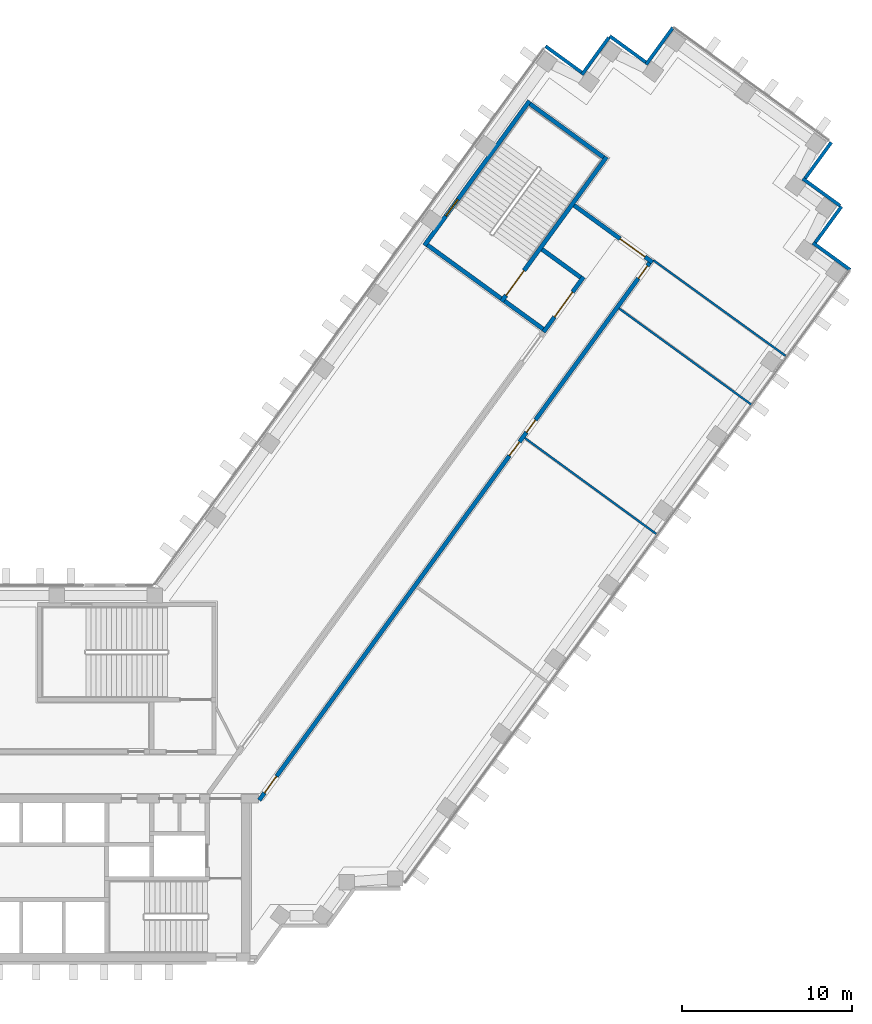
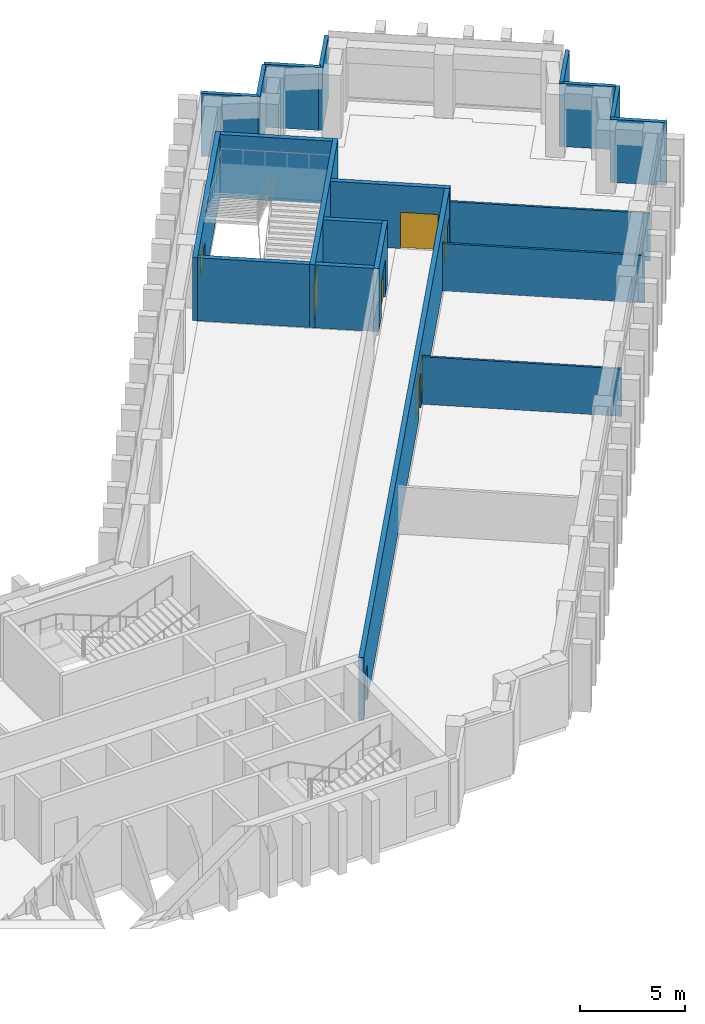
# One storey, part 12 of 16: 20 walls, 7 doors, 1 window, 8 openings.
"""IFC4 building model written with IfcOpenShell, lengths in metres."""

from ifc_helpers import new_model, si_unit, direction, frame, frame_2d, origin, place, context, subcontext, project, spatial, rectangle, extrude, material, layer, layer_set, type_object, element, fill, save


model = new_model("IFC4")

# Units and contexts
model_context = context("Model", 3, precision=1e-05, world=origin(), true_north=direction((0.0, 1.0)))
body_context = subcontext(model_context, "Body", "Model", "MODEL_VIEW")
ifc_project = project(units=[si_unit("LENGTHUNIT", "METRE"), si_unit("AREAUNIT", "SQUARE_METRE"), si_unit("VOLUMEUNIT", "CUBIC_METRE"), si_unit("PLANEANGLEUNIT", "RADIAN"), si_unit("MASSUNIT", "GRAM", prefix="KILO")], contexts=[model_context])

# Site, building, storey
site_placement = place(None, origin())
site = spatial("IfcSite", under=ifc_project, at=site_placement, CompositionType="ELEMENT")
building_placement = place(site_placement, origin())
building = spatial("IfcBuilding", under=site, at=building_placement, Name="Quipu Civic Tower", CompositionType="ELEMENT")
storey_placement = place(building_placement, frame((0.0, 0.0, 63.0)))
storey = spatial("IfcBuildingStorey", under=building, at=storey_placement, Name="L14", CompositionType="ELEMENT", Elevation=63.0)

# Wall, opening, door
ifc_material_1 = material(Name="Concrete C70/85", Category="concrete")
ifc_layer_1 = layer(ifc_material_1, 0.25)
ifc_layer_set_1 = layer_set([ifc_layer_1], Name="Concrete C70/85")
wall_type_1 = type_object("IfcWallType", Name="Core wall 250", PredefinedType="SHEAR", material=ifc_layer_set_1)
wall_1_placement = place(storey_placement, frame((37.237548828125, 25.979736328125, 0.0), z_axis=(0.0, 0.0, 1.0), x_axis=(0.587772420479, 0.809026317077, 0.0)))
wall_1 = element("IfcWall", 1, at=wall_1_placement, inside=storey, type_object=wall_type_1, Name="Core wall", PredefinedType="SHEAR", context=body_context, shape_type="SweptSolid", body=[
    extrude(rectangle(XDim=4.0, YDim=0.25, at=frame_2d((2.0, 0.0))), origin(), (0.0, 0.0, 1.0), 3.64990234375),
])
opening_1_placement = place(wall_1_placement, frame((1.10009765625, 0.0, 0.0)))
opening_1 = element("IfcOpeningElement", 2, at=opening_1_placement, cuts=wall_1, Name="Opening CD-22", PredefinedType="OPENING", context=body_context, shape_type="SweptSolid", body=[
    extrude(rectangle(XDim=1.800048828125, YDim=2.10009765625, at=frame_2d((0.89990234375, 1.050048828125))), frame((0.0, 0.135009765625, 0.0), z_axis=(0.0, -1.0, 0.0), x_axis=(1.0, 0.0, 0.0)), (0.0, 0.0, 1.0), 0.27001953125),
])
ifc_material_2 = material(Name="Fire rated steel door", Category="steel")
door_type_1 = type_object("IfcDoorType", Name="Fire door FD90 double 1800 x 2100", OperationType="NOTDEFINED", PredefinedType="DOOR", material=ifc_material_2)
door_1_placement = place(opening_1_placement, origin())
door_1 = element("IfcDoor", 3, at=door_1_placement, inside=storey, type_object=door_type_1, Name="Lobby door", OperationType="DOUBLE_DOOR_SINGLE_SWING", OverallHeight=2.10009765625, OverallWidth=1.800048828125, PredefinedType="DOOR", context=body_context, shape_type="SweptSolid", body=[
    extrude(rectangle(XDim=1.800048828125, YDim=2.10009765625, at=frame_2d((0.89990234375, 1.050048828125))), frame((0.0, 0.02490234375, 0.0), z_axis=(0.0, -1.0, 0.0), x_axis=(1.0, 0.0, 0.0)), (0.0, 0.0, 1.0), 0.050048828125),
])
fill(opening_1, door_1)

# Walls
for number, where, z_axis, x_axis, name in (
    (4, (37.2099609375, 26.154296875, 0.0), (0.0, 0.0, 1.0), (-0.809041377956, 0.587751689708, 0.0), "Core wall"),
    (5, (39.4140625, 29.18798828125, 0.0), (0.0, 0.0, 1.0), (-0.808969789945, 0.58785021813, 0.0), "Core wall"),
):
    element("IfcWall", number, at=place(storey_placement, frame(where, z_axis=z_axis, x_axis=x_axis)), inside=storey, type_object=wall_type_1, Name=name, PredefinedType="SHEAR", context=body_context, shape_type="SweptSolid", body=[
        extrude(rectangle(XDim=2.800048828125, YDim=0.25, at=frame_2d((1.39990234375, 0.0))), origin(), (0.0, 0.0, 1.0), 3.64990234375),
    ])

# Wall, opening, door
wall_2_placement = place(storey_placement, frame((34.77001953125, 27.7724609375, 0.0), z_axis=(0.0, 0.0, 1.0), x_axis=(0.587795589702, 0.809009483706, 0.0)))
wall_2 = element("IfcWall", 6, at=wall_2_placement, inside=storey, type_object=wall_type_1, Name="Core wall", PredefinedType="SHEAR", context=body_context, shape_type="SweptSolid", body=[
    extrude(rectangle(XDim=10.5, YDim=0.25, at=frame_2d((5.25, 0.0))), origin(), (0.0, 0.0, 1.0), 3.64990234375),
])
opening_2_placement = place(wall_2_placement, frame((0.449951171875, 0.0, 0.0)))
opening_2 = element("IfcOpeningElement", 7, at=opening_2_placement, cuts=wall_2, Name="Opening CD-23", PredefinedType="OPENING", context=body_context, shape_type="SweptSolid", body=[
    extrude(rectangle(XDim=1.800048828125, YDim=2.10009765625, at=frame_2d((0.89990234375, 1.050048828125))), frame((0.0, 0.135009765625, 0.0), z_axis=(0.0, -1.0, 0.0), x_axis=(1.0, 0.0, 0.0)), (0.0, 0.0, 1.0), 0.27001953125),
])
door_2_placement = place(opening_2_placement, origin())
door_2 = element("IfcDoor", 8, at=door_2_placement, inside=storey, type_object=door_type_1, Name="Door", OperationType="DOUBLE_DOOR_SINGLE_SWING", OverallHeight=2.10009765625, OverallWidth=1.800048828125, PredefinedType="DOOR", context=body_context, shape_type="SweptSolid", body=[
    extrude(rectangle(XDim=1.800048828125, YDim=2.10009765625, at=frame_2d((0.89990234375, 1.050048828125))), frame((0.0, 0.02490234375, 0.0), z_axis=(0.0, -1.0, 0.0), x_axis=(1.0, 0.0, 0.0)), (0.0, 0.0, 1.0), 0.050048828125),
])
fill(opening_2, door_2)

# Walls
wall_3_placement = place(storey_placement, frame((34.742431640625, 27.947021484375, 0.0), z_axis=(0.0, 0.0, 1.0), x_axis=(-0.8089984606, 0.587810760999, 0.0)))
element("IfcWall", 9, at=wall_3_placement, inside=storey, type_object=wall_type_1, Name="Core wall", PredefinedType="SHEAR", context=body_context, shape_type="SweptSolid", body=[
    extrude(rectangle(XDim=5.35009765625, YDim=0.25, at=frame_2d((2.675048828125, 0.0))), origin(), (0.0, 0.0, 1.0), 3.64990234375),
])
wall_4_placement = place(storey_placement, frame((40.76708984375, 36.239501953125, 0.0), z_axis=(0.0, 0.0, 1.0), x_axis=(-0.809020161303, 0.587780893365, 0.0)))
element("IfcWall", 10, at=wall_4_placement, inside=storey, type_object=wall_type_1, Name="Core wall", PredefinedType="SHEAR", context=body_context, shape_type="SweptSolid", body=[
    extrude(rectangle(XDim=5.349853515625, YDim=0.25, at=frame_2d((2.6748046875, 0.0))), origin(), (0.0, 0.0, 1.0), 3.64990234375),
])

# Wall, opening, window
wall_5_placement = place(storey_placement, frame((30.239501953125, 31.06396484375, 0.0), z_axis=(0.0, 0.0, 1.0), x_axis=(0.587795589702, 0.809009483706, 0.0)))
wall_5 = element("IfcWall", 11, at=wall_5_placement, inside=storey, type_object=wall_type_1, Name="Core wall", PredefinedType="SHEAR", context=body_context, shape_type="SweptSolid", body=[
    extrude(rectangle(XDim=10.5, YDim=0.25, at=frame_2d((5.25, 0.0))), origin(), (0.0, 0.0, 1.0), 3.64990234375),
])
opening_3_placement = place(wall_5_placement, frame((2.14990234375, 0.0, 1.0)))
opening_3 = element("IfcOpeningElement", 12, at=opening_3_placement, cuts=wall_5, Name="Opening SV-7", PredefinedType="OPENING", context=body_context, shape_type="SweptSolid", body=[
    extrude(rectangle(XDim=1.199951171875, YDim=1.199951171875, at=frame_2d((0.60009765625, 0.60009765625))), frame((0.0, 0.135009765625, 0.0), z_axis=(0.0, -1.0, 0.0), x_axis=(1.0, 0.0, 0.0)), (0.0, 0.0, 1.0), 0.27001953125),
])
ifc_material_3 = material(Name="Aluminium louvre", Category="aluminium")
window_type = type_object("IfcWindowType", Name="Stair ventilation louvre 1200 x 1200", PartitioningType="SINGLE_PANEL", PredefinedType="WINDOW", material=ifc_material_3)
window_placement = place(opening_3_placement, origin())
window = element("IfcWindow", 13, at=window_placement, inside=storey, type_object=window_type, Name="Stair ventilation opening", OverallHeight=1.199951171875, OverallWidth=1.199951171875, PartitioningType="SINGLE_PANEL", PredefinedType="WINDOW", context=body_context, shape_type="SweptSolid", body=[
    extrude(rectangle(XDim=1.199951171875, YDim=1.199951171875, at=frame_2d((0.60009765625, 0.60009765625))), frame((0.0, 0.030029296875, 0.0), z_axis=(0.0, -1.0, 0.0), x_axis=(1.0, 0.0, 0.0)), (0.0, 0.0, 1.0), 0.06005859375),
])
fill(opening_3, window)

# Wall, opening, door
ifc_material_4 = material(Name="Concrete C50/60", Category="concrete")
ifc_layer_2 = layer(ifc_material_4, 0.25)
ifc_layer_set_2 = layer_set([ifc_layer_2], Name="Concrete C50/60")
wall_type_2 = type_object("IfcWallType", Name="Corridor wall 250 concrete", PredefinedType="SOLIDWALL", material=ifc_layer_set_2)
wall_6_placement = place(storey_placement, frame((39.03369140625, 33.419921875, 0.0), z_axis=(0.0, 0.0, 1.0), x_axis=(0.809023325802, -0.587776537732, 0.0)))
wall_6 = element("IfcWall", 14, at=wall_6_placement, inside=storey, type_object=wall_type_2, Name="Corridor wall C07", PredefinedType="SOLIDWALL", context=body_context, shape_type="SweptSolid", body=[
    extrude(rectangle(XDim=5.695068359375, YDim=0.25, at=frame_2d((2.84765625, 0.0))), origin(), (0.0, 0.0, 1.0), 3.64990234375),
])
opening_4_placement = place(wall_6_placement, frame((3.34521484375, 0.0, 0.0)))
opening_4 = element("IfcOpeningElement", 15, at=opening_4_placement, cuts=wall_6, Name="Opening D007", PredefinedType="OPENING", context=body_context, shape_type="SweptSolid", body=[
    extrude(rectangle(XDim=1.800048828125, YDim=2.10009765625, at=frame_2d((0.89990234375, 1.050048828125))), frame((0.0, 0.135009765625, 0.0), z_axis=(0.0, -1.0, 0.0), x_axis=(1.0, 0.0, 0.0)), (0.0, 0.0, 1.0), 0.27001953125),
])
ifc_material_5 = material(Name="Fire rated timber door set with metal frame", Category="wood")
door_type_2 = type_object("IfcDoorType", Name="Double door 1800 x 2100 FD60", OperationType="DOUBLE_DOOR_SINGLE_SWING", PredefinedType="DOOR", material=ifc_material_5)
door_3_placement = place(opening_4_placement, origin())
door_3 = element("IfcDoor", 16, at=door_3_placement, inside=storey, type_object=door_type_2, Name="Door D007", OperationType="DOUBLE_DOOR_SINGLE_SWING", OverallHeight=2.10009765625, OverallWidth=1.800048828125, PredefinedType="DOOR", context=body_context, shape_type="SweptSolid", body=[
    extrude(rectangle(XDim=1.800048828125, YDim=2.10009765625, at=frame_2d((0.89990234375, 1.050048828125))), frame((0.0, 0.02490234375, 0.0), z_axis=(0.0, -1.0, 0.0), x_axis=(1.0, 0.0, 0.0)), (0.0, 0.0, 1.0), 0.050048828125),
])
fill(opening_4, door_3)

# Wall, openings, doors
wall_7_placement = place(storey_placement, frame((43.466552734375, 30.044677734375, 0.0), z_axis=(0.0, 0.0, 1.0), x_axis=(-0.587784726077, -0.809017376692, 0.0)))
wall_7 = element("IfcWall", 17, at=wall_7_placement, inside=storey, type_object=wall_type_2, Name="Corridor wall C08", PredefinedType="SOLIDWALL", context=body_context, shape_type="SweptSolid", body=[
    extrude(rectangle(XDim=39.020263671875, YDim=0.25, at=frame_2d((19.51025390625, 0.0))), origin(), (0.0, 0.0, 1.0), 3.64990234375),
])
opening_5_placement = place(wall_7_placement, frame((11.404296875, 0.0, 0.0)))
opening_5 = element("IfcOpeningElement", 18, at=opening_5_placement, cuts=wall_7, Name="Opening D005", PredefinedType="OPENING", context=body_context, shape_type="SweptSolid", body=[
    extrude(rectangle(XDim=0.89990234375, YDim=2.10009765625, at=frame_2d((0.449951171875, 1.050048828125))), frame((0.0, 0.135009765625, 0.0), z_axis=(0.0, -1.0, 0.0), x_axis=(1.0, 0.0, 0.0)), (0.0, 0.0, 1.0), 0.27001953125),
])
opening_6_placement = place(wall_7_placement, frame((13.00439453125, 0.0, 0.0)))
opening_6 = element("IfcOpeningElement", 19, at=opening_6_placement, cuts=wall_7, Name="Opening D004", PredefinedType="OPENING", context=body_context, shape_type="SweptSolid", body=[
    extrude(rectangle(XDim=1.0, YDim=2.10009765625, at=frame_2d((0.5, 1.050048828125))), frame((0.0, 0.135009765625, 0.0), z_axis=(0.0, -1.0, 0.0), x_axis=(1.0, 0.0, 0.0)), (0.0, 0.0, 1.0), 0.27001953125),
])
opening_7_placement = place(wall_7_placement, frame((37.287109375, 0.0, 0.0)))
opening_7 = element("IfcOpeningElement", 20, at=opening_7_placement, cuts=wall_7, Name="Opening D003", PredefinedType="OPENING", context=body_context, shape_type="SweptSolid", body=[
    extrude(rectangle(XDim=1.199951171875, YDim=2.10009765625, at=frame_2d((0.60009765625, 1.050048828125))), frame((0.0, 0.135009765625, 0.0), z_axis=(0.0, -1.0, 0.0), x_axis=(1.0, 0.0, 0.0)), (0.0, 0.0, 1.0), 0.27001953125),
])
opening_8_placement = place(wall_7_placement, frame((0.224365234375, 0.0, 0.0)))
opening_8 = element("IfcOpeningElement", 21, at=opening_8_placement, cuts=wall_7, Name="Opening D006", PredefinedType="OPENING", context=body_context, shape_type="SweptSolid", body=[
    extrude(rectangle(XDim=0.89990234375, YDim=2.10009765625, at=frame_2d((0.449951171875, 1.050048828125))), frame((0.0, 0.135009765625, 0.0), z_axis=(0.0, -1.0, 0.0), x_axis=(1.0, 0.0, 0.0)), (0.0, 0.0, 1.0), 0.27001953125),
])
ifc_material_6 = material(Name="Fire rated timber door set with metal frame", Category="wood")
door_type_3 = type_object("IfcDoorType", Name="Single door 1000 x 2100 FD60", OperationType="NOTDEFINED", PredefinedType="DOOR", material=ifc_material_6)
door_4_placement = place(opening_6_placement, origin())
door_4 = element("IfcDoor", 22, at=door_4_placement, inside=storey, type_object=door_type_3, Name="Door D004", OperationType="SINGLE_SWING_LEFT", OverallHeight=2.10009765625, OverallWidth=1.0, PredefinedType="DOOR", context=body_context, shape_type="SweptSolid", body=[
    extrude(rectangle(XDim=1.0, YDim=2.10009765625, at=frame_2d((0.5, 1.050048828125))), frame((0.0, 0.02490234375, 0.0), z_axis=(0.0, -1.0, 0.0), x_axis=(1.0, 0.0, 0.0)), (0.0, 0.0, 1.0), 0.050048828125),
])
fill(opening_6, door_4)
ifc_material_7 = material(Name="Fire rated timber door set with metal frame", Category="wood")
door_type_4 = type_object("IfcDoorType", Name="Single door 1200 x 2100 FD60", OperationType="NOTDEFINED", PredefinedType="DOOR", material=ifc_material_7)
door_5_placement = place(opening_7_placement, origin())
door_5 = element("IfcDoor", 23, at=door_5_placement, inside=storey, type_object=door_type_4, Name="Door D003", OperationType="SINGLE_SWING_RIGHT", OverallHeight=2.10009765625, OverallWidth=1.199951171875, PredefinedType="DOOR", context=body_context, shape_type="SweptSolid", body=[
    extrude(rectangle(XDim=1.199951171875, YDim=2.10009765625, at=frame_2d((0.60009765625, 1.050048828125))), frame((0.0, 0.02490234375, 0.0), z_axis=(0.0, -1.0, 0.0), x_axis=(1.0, 0.0, 0.0)), (0.0, 0.0, 1.0), 0.050048828125),
])
fill(opening_7, door_5)
ifc_material_8 = material(Name="Fire rated timber door set with metal frame", Category="wood")
door_type_5 = type_object("IfcDoorType", Name="Single door 900 x 2100 FD60", OperationType="NOTDEFINED", PredefinedType="DOOR", material=ifc_material_8)
door_6_placement = place(opening_5_placement, origin())
door_6 = element("IfcDoor", 24, at=door_6_placement, inside=storey, type_object=door_type_5, Name="Door D005", OperationType="SINGLE_SWING_RIGHT", OverallHeight=2.10009765625, OverallWidth=0.89990234375, PredefinedType="DOOR", context=body_context, shape_type="SweptSolid", body=[
    extrude(rectangle(XDim=0.89990234375, YDim=2.10009765625, at=frame_2d((0.449951171875, 1.050048828125))), frame((0.0, 0.02490234375, 0.0), z_axis=(0.0, -1.0, 0.0), x_axis=(1.0, 0.0, 0.0)), (0.0, 0.0, 1.0), 0.050048828125),
])
fill(opening_5, door_6)
door_7_placement = place(opening_8_placement, origin())
door_7 = element("IfcDoor", 25, at=door_7_placement, inside=storey, type_object=door_type_5, Name="Door D006", OperationType="SINGLE_SWING_LEFT", OverallHeight=2.10009765625, OverallWidth=0.89990234375, PredefinedType="DOOR", context=body_context, shape_type="SweptSolid", body=[
    extrude(rectangle(XDim=0.89990234375, YDim=2.10009765625, at=frame_2d((0.449951171875, 1.050048828125))), frame((0.0, 0.02490234375, 0.0), z_axis=(0.0, -1.0, 0.0), x_axis=(1.0, 0.0, 0.0)), (0.0, 0.0, 1.0), 0.050048828125),
])
fill(opening_8, door_7)

# Walls
ifc_material_9 = material(Name="Gypsum plasterboard on light gauge framing")
ifc_layer_3 = layer(ifc_material_9, 0.1201171875)
ifc_layer_set_3 = layer_set([ifc_layer_3], Name="Gypsum plasterboard on light gauge framing")
wall_type_3 = type_object("IfcWallType", Name="Partition 120 plasterboard", PredefinedType="PARTITIONING", material=ifc_layer_set_3)
wall_8_placement = place(storey_placement, frame((43.698486328125, 30.185302734375, 0.0), z_axis=(0.0, 0.0, 1.0), x_axis=(0.810419489461, -0.58585002441, 0.0)))
element("IfcWall", 26, at=wall_8_placement, inside=storey, type_object=wall_type_3, Name="Partition P01", PredefinedType="PARTITIONING", context=body_context, shape_type="SweptSolid", body=[
    extrude(rectangle(XDim=9.570068359375, YDim=0.1201171875, at=frame_2d((4.78515625, 0.0))), origin(), (0.0, 0.0, 1.0), 2.75),
])
wall_9_placement = place(storey_placement, frame((36.140869140625, 19.749267578125, 0.0), z_axis=(0.0, 0.0, 1.0), x_axis=(0.807691251741, -0.589605666408, 0.0)))
element("IfcWall", 27, at=wall_9_placement, inside=storey, type_object=wall_type_3, Name="Partition P06", PredefinedType="PARTITIONING", context=body_context, shape_type="SweptSolid", body=[
    extrude(rectangle(XDim=9.55029296875, YDim=0.1201171875, at=frame_2d((4.775146484375, 0.0))), origin(), (0.0, 0.0, 1.0), 2.75),
])
wall_10_placement = place(storey_placement, frame((49.47998046875, 21.689697265625, 0.0), z_axis=(0.0, 0.0, 1.0), x_axis=(-0.808999631097, 0.587809150052, 0.0)))
element("IfcWall", 28, at=wall_10_placement, inside=storey, type_object=wall_type_3, Name="Partition P07", PredefinedType="PARTITIONING", context=body_context, shape_type="SweptSolid", body=[
    extrude(rectangle(XDim=9.6513671875, YDim=0.1201171875, at=frame_2d((4.82568359375, 0.0))), origin(), (0.0, 0.0, 1.0), 2.75),
])
ifc_material_10 = material(Name="Precast concrete C40/50", Category="concrete")
wall_type_4 = type_object("IfcWallType", Name="Precast cladding wall", PredefinedType="SOLIDWALL", material=ifc_material_10)
wall_11_placement = place(storey_placement, frame((55.2470703125, 29.62890625, 0.0), z_axis=(0.0, 0.0, 1.0), x_axis=(-0.809033161865, 0.587762999008, 0.0)))
element("IfcWall", 29, at=wall_11_placement, inside=storey, type_object=wall_type_4, Name="Precast cladding wall L14 P19", PredefinedType="SOLIDWALL", context=body_context, shape_type="SweptSolid", body=[
    extrude(rectangle(XDim=2.699951171875, YDim=0.199951171875, at=frame_2d((1.35009765625, 0.0))), origin(), (0.0, 0.0, 1.0), 3.64990234375),
])
wall_12_placement = place(storey_placement, frame((53.150634765625, 31.166748046875, 0.0), z_axis=(0.0, 0.0, 1.0), x_axis=(0.587779184282, 0.809021403008, 0.0)))
element("IfcWall", 30, at=wall_12_placement, inside=storey, type_object=wall_type_4, Name="Precast cladding wall L14 P20", PredefinedType="SOLIDWALL", context=body_context, shape_type="SweptSolid", body=[
    extrude(rectangle(XDim=2.7001953125, YDim=0.199951171875, at=frame_2d((1.35009765625, 0.0))), origin(), (0.0, 0.0, 1.0), 3.64990234375),
])
for number, where, z_axis, x_axis, name in (
    (31, (54.649658203125, 33.400390625, 0.0), (0.0, 0.0, 1.0), (-0.809033161865, 0.587762999008, 0.0), "Precast cladding wall L14 P21"),
    (32, (52.55322265625, 34.938232421875, 0.0), (0.0, 0.0, 1.0), (0.587822180636, 0.808990163075, 0.0), "Precast cladding wall L14 P22"),
    (33, (44.846435546875, 43.875, 0.0), (0.0, 0.0, 1.0), (-0.587822180636, -0.808990163075, 0.0), "Precast cladding wall L14 P24"),
    (34, (43.308349609375, 41.77880859375, 0.0), (0.0, 0.0, 1.0), (-0.809033161865, 0.587762999008, 0.0), "Precast cladding wall L14 P25"),
):
    element("IfcWall", number, at=place(storey_placement, frame(where, z_axis=z_axis, x_axis=x_axis)), inside=storey, type_object=wall_type_4, Name=name, PredefinedType="SOLIDWALL", context=body_context, shape_type="SweptSolid", body=[
        extrude(rectangle(XDim=2.699951171875, YDim=0.199951171875, at=frame_2d((1.35009765625, 0.0))), origin(), (0.0, 0.0, 1.0), 3.64990234375),
    ])
wall_13_placement = place(storey_placement, frame((41.074951171875, 43.277587890625, 0.0), z_axis=(0.0, 0.0, 1.0), x_axis=(-0.587806000234, -0.809001919707, 0.0)))
element("IfcWall", 35, at=wall_13_placement, inside=storey, type_object=wall_type_4, Name="Precast cladding wall L14 P26", PredefinedType="SOLIDWALL", context=body_context, shape_type="SweptSolid", body=[
    extrude(rectangle(XDim=2.69970703125, YDim=0.199951171875, at=frame_2d((1.349853515625, 0.0))), origin(), (0.0, 0.0, 1.0), 3.64990234375),
])
wall_14_placement = place(storey_placement, frame((39.537109375, 41.181396484375, 0.0), z_axis=(0.0, 0.0, 1.0), x_axis=(-0.809033161865, 0.587762999008, 0.0)))
element("IfcWall", 36, at=wall_14_placement, inside=storey, type_object=wall_type_4, Name="Precast cladding wall L14 P27", PredefinedType="SOLIDWALL", context=body_context, shape_type="SweptSolid", body=[
    extrude(rectangle(XDim=2.699951171875, YDim=0.199951171875, at=frame_2d((1.35009765625, 0.0))), origin(), (0.0, 0.0, 1.0), 3.64990234375),
])

save(model, "model.ifc")
